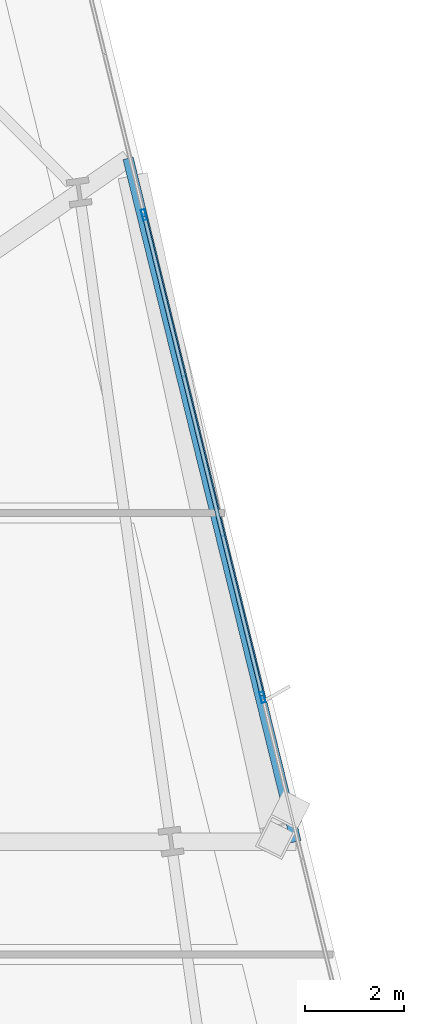
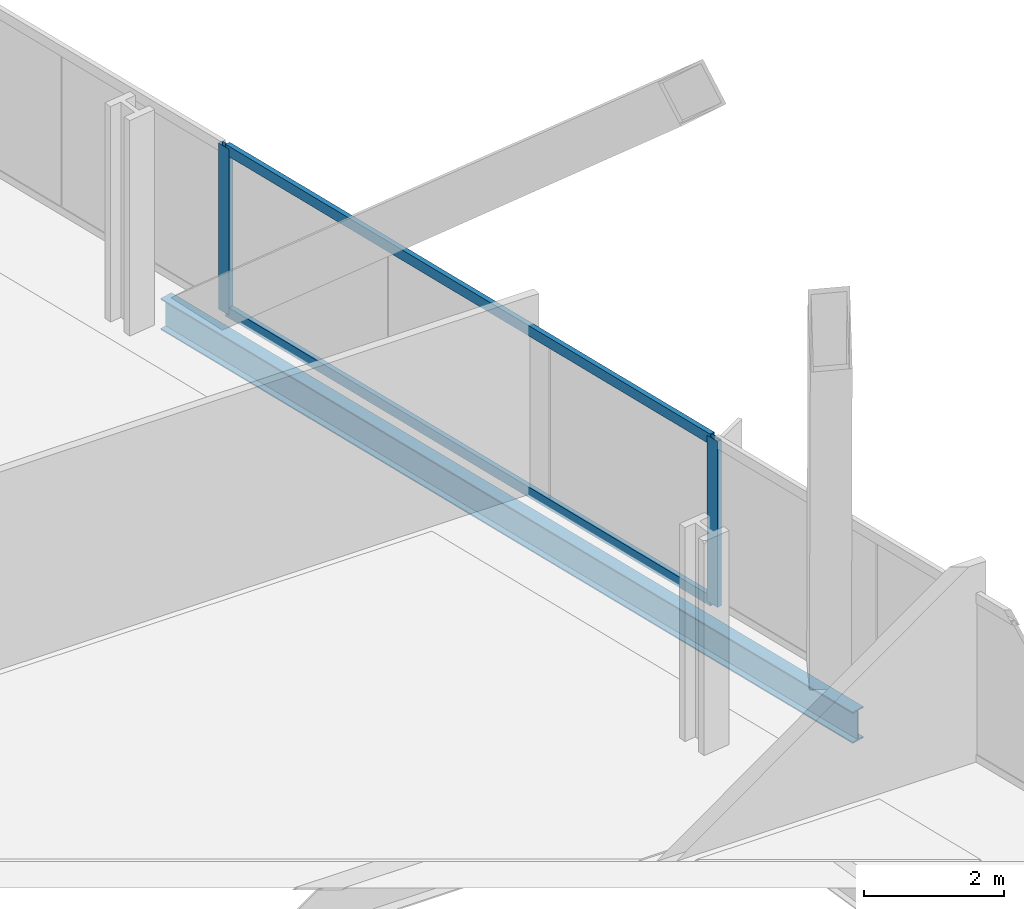
# One storey, part 19 of 32: 4 members, 1 beam, 1 element without a shape of its own.
"""IFC4 building model written with IfcOpenShell, lengths in metres."""

from ifc_helpers import new_model, si_unit, direction, frame, origin, origin_2d, place, context, subcontext, project, spatial, hollow_rectangle, i_section, extrude, material, material_profile, profile_set, type_object, element, aggregate, save


model = new_model("IFC4")

# Units and contexts
model_context = context("Model", 3, precision=1e-05, world=origin(), true_north=direction((0.0, 1.0)))
body_context = subcontext(model_context, "Body", "Model", "MODEL_VIEW")
ifc_project = project(units=[si_unit("LENGTHUNIT", "METRE"), si_unit("AREAUNIT", "SQUARE_METRE"), si_unit("VOLUMEUNIT", "CUBIC_METRE"), si_unit("PLANEANGLEUNIT", "RADIAN"), si_unit("MASSUNIT", "GRAM", prefix="KILO")], contexts=[model_context])

# Site, building, storey
site_placement = place(None, origin())
site = spatial("IfcSite", under=ifc_project, at=site_placement, CompositionType="ELEMENT")
building_placement = place(site_placement, origin())
building = spatial("IfcBuilding", under=site, at=building_placement, Name="Haldenkirk Collegiate Tower", CompositionType="ELEMENT")
storey_placement = place(building_placement, frame((0.0, 0.0, 73.949951171875)))
storey = spatial("IfcBuildingStorey", under=building, at=storey_placement, Name="L17", CompositionType="ELEMENT", Elevation=73.949951171875)

# Beam
ifc_material_1 = material(Name="Steel ASTM A992 Grade 50", Category="steel")
ifc_material_profile_1 = material_profile(ifc_material_1, i_section(OverallWidth=0.2119140625, OverallDepth=0.5439453125, WebThickness=0.01318359375, FlangeThickness=0.021240234375, at=origin_2d()), Name="W21X83")
ifc_profile_set_1 = profile_set([ifc_material_profile_1], Name="Steel ASTM A992 Grade 50")
beam_type = type_object("IfcBeamType", Name="BM-SPANDREL-W21X83", PredefinedType="SPANDREL", material=ifc_profile_set_1)
beam_placement = place(storey_placement, frame((62.284912109375, 29.788818359375, -0.58203125), z_axis=(-0.238533233785, 0.971134334879, 0.0), x_axis=(-0.971134334879, -0.238533233785, 0.0)))
element("IfcBeam", 1, at=beam_placement, inside=storey, type_object=beam_type, Name="L17 outer facade edge beam 2", PredefinedType="SPANDREL", context=body_context, shape_type="SweptSolid", body=[
    extrude(i_section(OverallWidth=0.2119140625, OverallDepth=0.5439453125, WebThickness=0.01318359375, FlangeThickness=0.021240234375, at=origin_2d()), origin(), (0.0, 0.0, 1.0), 14.259521484375),
])

# Curtain wall, members
ifc_material_2 = material(Name="Anodised architectural bronze aluminium", Category="aluminium")
curtain_wall_type = type_object("IfcCurtainWallType", Name="CW-SYS1-CONVEX-LOW", PredefinedType="USERDEFINED", material=ifc_material_2)
curtain_wall_placement = place(storey_placement, origin())
curtain_wall = element("IfcCurtainWall", 2, at=curtain_wall_placement, inside=storey, type_object=curtain_wall_type, Name="L17 Lower tower convex bronze-framed unitised curtain wall", ObjectType="UNITISED CURTAIN WALL", PredefinedType="USERDEFINED")
ifc_material_profile_2 = material_profile(ifc_material_2, hollow_rectangle(XDim=0.080078125, YDim=0.219970703125, WallThickness=0.0048828125, at=origin_2d()), Name="CW-MUL-1A")
ifc_profile_set_2 = profile_set([ifc_material_profile_2], Name="Anodised architectural bronze aluminium")
member_type_1 = type_object("IfcMemberType", Name="CW-MUL-1A", PredefinedType="MULLION", material=ifc_profile_set_2)
member_1_placement = place(storey_placement, frame((59.205810546875, 42.49267578125, 0.0), z_axis=(0.0, 0.0, 1.0), x_axis=(0.971134434447, 0.238532828413, 0.0)))
member_1 = element("IfcMember", 3, at=member_1_placement, type_object=member_type_1, Name="CW-1A mullion 2", PredefinedType="MULLION", context=body_context, shape_type="SweptSolid", body=[
    extrude(hollow_rectangle(XDim=0.080078125, YDim=0.219970703125, WallThickness=0.0048828125, at=origin_2d()), origin(), (0.0, 0.0, 1.0), 2.89111328125),
])
member_2_placement = place(storey_placement, frame((61.607666015625, 32.714599609375, 0.0), z_axis=(0.0, 0.0, 1.0), x_axis=(0.971134434447, 0.238532828413, 0.0)))
member_2 = element("IfcMember", 4, at=member_2_placement, type_object=member_type_1, Name="CW-1A mullion 3", PredefinedType="MULLION", context=body_context, shape_type="SweptSolid", body=[
    extrude(hollow_rectangle(XDim=0.080078125, YDim=0.219970703125, WallThickness=0.0048828125, at=origin_2d()), origin(), (0.0, 0.0, 1.0), 2.89111328125),
])
ifc_material_profile_3 = material_profile(ifc_material_2, hollow_rectangle(XDim=0.080078125, YDim=0.179931640625, WallThickness=0.0048828125, at=origin_2d()), Name="CW-TRN-1A")
ifc_profile_set_3 = profile_set([ifc_material_profile_3], Name="Anodised architectural bronze aluminium")
member_type_2 = type_object("IfcMemberType", Name="CW-TRN-1A", PredefinedType="USERDEFINED", material=ifc_profile_set_3)
member_3_placement = place(storey_placement, frame((59.21533203125, 42.453857421875, 0.0400390625), z_axis=(0.238525139697, -0.97113632294, 0.0), x_axis=(0.97113632294, 0.238525139697, 0.0)))
member_3 = element("IfcMember", 5, at=member_3_placement, type_object=member_type_2, Name="CW-1A transom 2.1", ObjectType="TRANSOM", PredefinedType="USERDEFINED", context=body_context, shape_type="SweptSolid", body=[
    extrude(hollow_rectangle(XDim=0.080078125, YDim=0.179931640625, WallThickness=0.0048828125, at=origin_2d()), origin(), (0.0, 0.0, 1.0), 9.98876953125),
])
member_4_placement = place(storey_placement, frame((59.21533203125, 42.453857421875, 2.85107421875), z_axis=(0.238525139697, -0.97113632294, 0.0), x_axis=(0.97113632294, 0.238525139697, 0.0)))
member_4 = element("IfcMember", 6, at=member_4_placement, type_object=member_type_2, Name="CW-1A transom 2.2", ObjectType="TRANSOM", PredefinedType="USERDEFINED", context=body_context, shape_type="SweptSolid", body=[
    extrude(hollow_rectangle(XDim=0.080078125, YDim=0.179931640625, WallThickness=0.0048828125, at=origin_2d()), origin(), (0.0, 0.0, 1.0), 9.98876953125),
])
aggregate(curtain_wall, [member_1, member_2, member_3, member_4])

save(model, "model.ifc")
